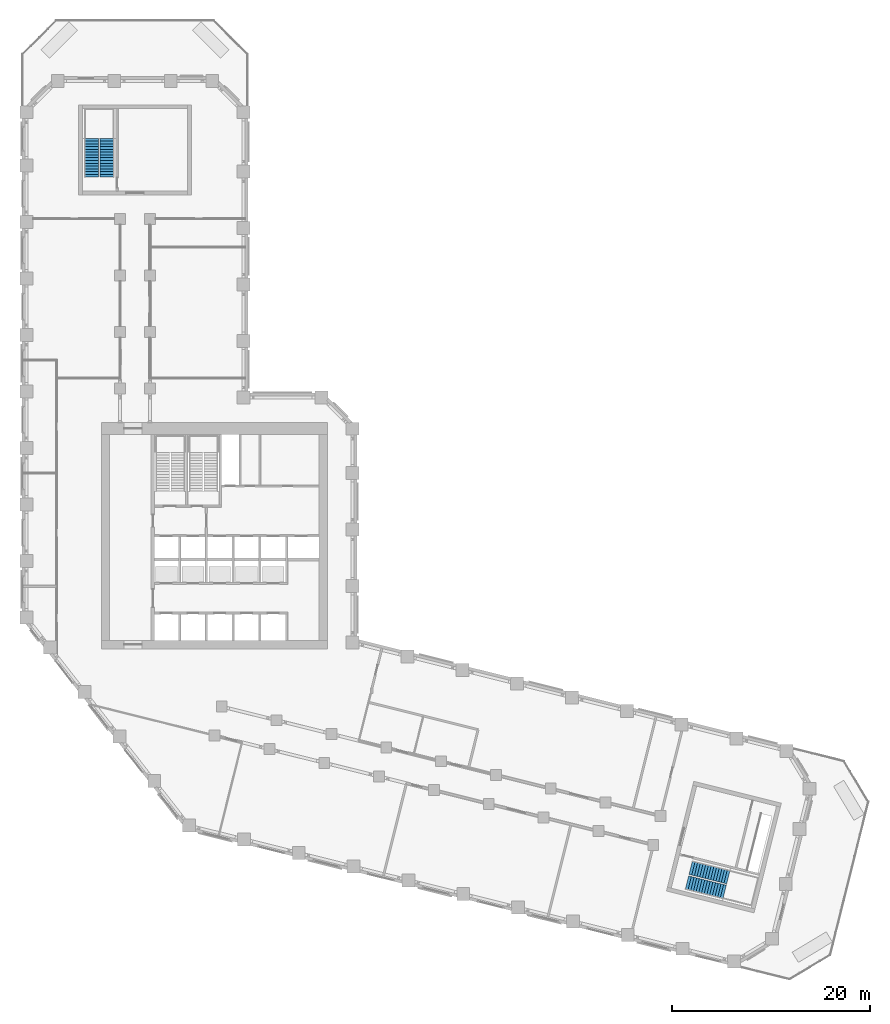
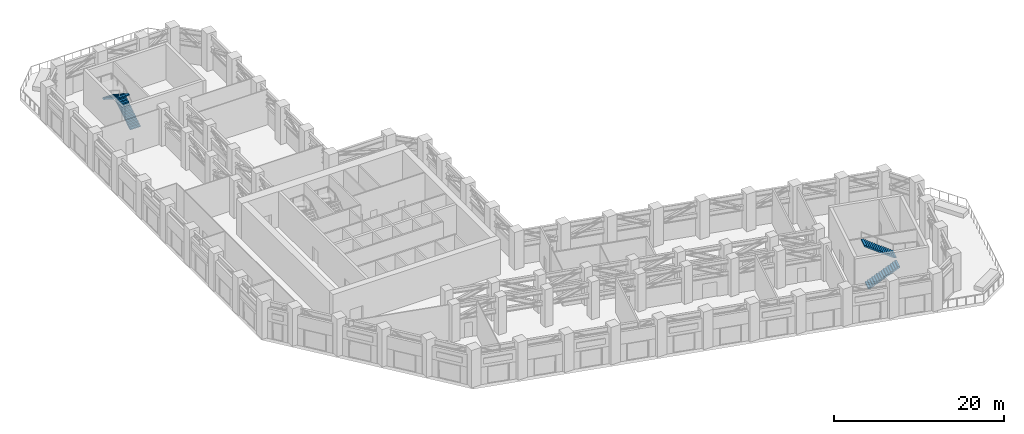
# One storey, part 18 of 21: 4 stair flights, 2 elements without a shape of their own.
"""IFC4 building model written with IfcOpenShell, lengths in metres."""

from ifc_helpers import new_model, si_unit, direction, frame, origin, place, context, subcontext, project, spatial, polyline, outline, extrude, material, type_object, element, aggregate, save


model = new_model("IFC4")

# Units and contexts
model_context = context("Model", 3, precision=1e-05, world=origin(), true_north=direction((0.0, 1.0)))
body_context = subcontext(model_context, "Body", "Model", "MODEL_VIEW")
ifc_project = project(units=[si_unit("LENGTHUNIT", "METRE"), si_unit("AREAUNIT", "SQUARE_METRE"), si_unit("VOLUMEUNIT", "CUBIC_METRE"), si_unit("PLANEANGLEUNIT", "RADIAN"), si_unit("MASSUNIT", "GRAM", prefix="KILO")], contexts=[model_context])

# Site, building, storey
site_placement = place(None, origin())
site = spatial("IfcSite", under=ifc_project, at=site_placement, CompositionType="ELEMENT")
building_placement = place(site_placement, origin())
building = spatial("IfcBuilding", under=site, at=building_placement, Name="Meshkara Civic Tower", CompositionType="ELEMENT")
storey_placement = place(building_placement, frame((0.0, 0.0, 156.0)))
storey = spatial("IfcBuildingStorey", under=building, at=storey_placement, Name="L35", CompositionType="ELEMENT", Elevation=156.0)

# Stair, stair flights
ifc_material_1 = material(Name="Precast concrete C40/50", Category="concrete")
stair_type = type_object("IfcStairType", Name="Exit stair half-turn 30 risers precast", PredefinedType="HALF_TURN_STAIR", material=ifc_material_1)
stair_1_placement = place(storey_placement, origin())
stair_1 = element("IfcStair", 1, at=stair_1_placement, inside=storey, type_object=stair_type, Name="L35 exit stair A from L35", PredefinedType="HALF_TURN_STAIR")
ifc_material_2 = material(Name="Precast concrete C40/50", Category="concrete")
stair_flight_type = type_object("IfcStairFlightType", Name="Exit stair flight 15 risers precast", PredefinedType="STRAIGHT", material=ifc_material_2)
stair_flight_1_placement = place(storey_placement, frame((8.574951171875, 61.669921875, 0.0), z_axis=(0.0, 0.0, 1.0), x_axis=(0.0, 1.0, 0.0)))
stair_flight_1 = element("IfcStairFlight", 2, at=stair_flight_1_placement, type_object=stair_flight_type, Name="ESA3 flight 1", NumberOfRisers=15, NumberOfTreads=14, PredefinedType="STRAIGHT", RiserHeight=0.18, TreadLength=0.28, context=body_context, shape_type="SweptSolid", body=[
    extrude(outline(polyline([(0.0, 0.0), (0.0, 0.179931640625), (0.280029296875, 0.179931640625), (0.280029296875, 0.360107421875), (0.56005859375, 0.360107421875), (0.56005859375, 0.5400390625), (0.840087890625, 0.5400390625), (0.840087890625, 0.719970703125), (1.1201171875, 0.719970703125), (1.1201171875, 0.89990234375), (1.39990234375, 0.89990234375), (1.39990234375, 1.080078125), (1.679931640625, 1.080078125), (1.679931640625, 1.260009765625), (1.9599609375, 1.260009765625), (1.9599609375, 1.43994140625), (2.239990234375, 1.43994140625), (2.239990234375, 1.6201171875), (2.52001953125, 1.6201171875), (2.52001953125, 1.800048828125), (2.800048828125, 1.800048828125), (2.800048828125, 1.97998046875), (3.080078125, 1.97998046875), (3.080078125, 2.159912109375), (3.360107421875, 2.159912109375), (3.360107421875, 2.340087890625), (3.639892578125, 2.340087890625), (3.639892578125, 2.52001953125), (3.919921875, 2.52001953125), (3.919921875, 2.699951171875), (3.919921875, 2.341796875), (0.277099609375, 0.0), (0.0, 0.0)])), frame((0.0, 0.699951171875, 0.0), z_axis=(0.0, -1.0, 0.0), x_axis=(1.0, 0.0, 0.0)), (0.0, 0.0, 1.0), 1.39990234375),
])
stair_flight_2_placement = place(storey_placement, frame((7.02490234375, 65.590087890625, 2.699951171875), z_axis=(0.0, 0.0, 1.0), x_axis=(0.0, -1.0, 0.0)))
stair_flight_2 = element("IfcStairFlight", 3, at=stair_flight_2_placement, type_object=stair_flight_type, Name="ESA3 flight 2", NumberOfRisers=15, NumberOfTreads=14, PredefinedType="STRAIGHT", RiserHeight=0.18, TreadLength=0.28, context=body_context, shape_type="SweptSolid", body=[
    extrude(outline(polyline([(0.0, 0.0), (0.0, 0.179931640625), (0.280029296875, 0.179931640625), (0.280029296875, 0.360107421875), (0.56005859375, 0.360107421875), (0.56005859375, 0.5400390625), (0.840087890625, 0.5400390625), (0.840087890625, 0.719970703125), (1.1201171875, 0.719970703125), (1.1201171875, 0.89990234375), (1.39990234375, 0.89990234375), (1.39990234375, 1.080078125), (1.679931640625, 1.080078125), (1.679931640625, 1.260009765625), (1.9599609375, 1.260009765625), (1.9599609375, 1.43994140625), (2.239990234375, 1.43994140625), (2.239990234375, 1.6201171875), (2.52001953125, 1.6201171875), (2.52001953125, 1.800048828125), (2.800048828125, 1.800048828125), (2.800048828125, 1.97998046875), (3.080078125, 1.97998046875), (3.080078125, 2.159912109375), (3.360107421875, 2.159912109375), (3.360107421875, 2.340087890625), (3.639892578125, 2.340087890625), (3.639892578125, 2.52001953125), (3.919921875, 2.52001953125), (3.919921875, 2.699951171875), (3.919921875, 2.341796875), (0.277099609375, 0.0), (0.0, 0.0)])), frame((0.0, 0.699951171875, 0.0), z_axis=(0.0, -1.0, 0.0), x_axis=(1.0, 0.0, 0.0)), (0.0, 0.0, 1.0), 1.39990234375),
])
aggregate(stair_1, [stair_flight_1, stair_flight_2])

stair_2_placement = place(storey_placement, origin())
stair_2 = element("IfcStair", 4, at=stair_2_placement, inside=storey, type_object=stair_type, Name="L35 exit stair B from L35", PredefinedType="HALF_TURN_STAIR")
stair_flight_3_placement = place(storey_placement, frame((67.068115234375, -9.4814453125, 0.0), z_axis=(0.0, 0.0, 1.0), x_axis=(0.9703185901, -0.241830175344, 0.0)))
stair_flight_3 = element("IfcStairFlight", 5, at=stair_flight_3_placement, type_object=stair_flight_type, Name="ESB3 flight 1", NumberOfRisers=15, NumberOfTreads=14, PredefinedType="STRAIGHT", RiserHeight=0.18, TreadLength=0.28, context=body_context, shape_type="SweptSolid", body=[
    extrude(outline(polyline([(0.0, 0.0), (0.0, 0.179931640625), (0.280029296875, 0.179931640625), (0.280029296875, 0.360107421875), (0.56005859375, 0.360107421875), (0.56005859375, 0.5400390625), (0.840087890625, 0.5400390625), (0.840087890625, 0.719970703125), (1.1201171875, 0.719970703125), (1.1201171875, 0.89990234375), (1.39990234375, 0.89990234375), (1.39990234375, 1.080078125), (1.679931640625, 1.080078125), (1.679931640625, 1.260009765625), (1.9599609375, 1.260009765625), (1.9599609375, 1.43994140625), (2.239990234375, 1.43994140625), (2.239990234375, 1.6201171875), (2.52001953125, 1.6201171875), (2.52001953125, 1.800048828125), (2.800048828125, 1.800048828125), (2.800048828125, 1.97998046875), (3.080078125, 1.97998046875), (3.080078125, 2.159912109375), (3.360107421875, 2.159912109375), (3.360107421875, 2.340087890625), (3.639892578125, 2.340087890625), (3.639892578125, 2.52001953125), (3.919921875, 2.52001953125), (3.919921875, 2.699951171875), (3.919921875, 2.341796875), (0.277099609375, 0.0), (0.0, 0.0)])), frame((0.0, 0.699951171875, 0.0), z_axis=(0.0, -1.0, 0.0), x_axis=(1.0, 0.0, 0.0)), (0.0, 0.0, 1.0), 1.39990234375),
])
stair_flight_4_placement = place(storey_placement, frame((71.24658203125, -8.925537109375, 2.699951171875), z_axis=(0.0, 0.0, 1.0), x_axis=(-0.9703185901, 0.241830175344, 0.0)))
stair_flight_4 = element("IfcStairFlight", 6, at=stair_flight_4_placement, type_object=stair_flight_type, Name="ESB3 flight 2", NumberOfRisers=15, NumberOfTreads=14, PredefinedType="STRAIGHT", RiserHeight=0.18, TreadLength=0.28, context=body_context, shape_type="SweptSolid", body=[
    extrude(outline(polyline([(0.0, 0.0), (0.0, 0.179931640625), (0.280029296875, 0.179931640625), (0.280029296875, 0.360107421875), (0.56005859375, 0.360107421875), (0.56005859375, 0.5400390625), (0.840087890625, 0.5400390625), (0.840087890625, 0.719970703125), (1.1201171875, 0.719970703125), (1.1201171875, 0.89990234375), (1.39990234375, 0.89990234375), (1.39990234375, 1.080078125), (1.679931640625, 1.080078125), (1.679931640625, 1.260009765625), (1.9599609375, 1.260009765625), (1.9599609375, 1.43994140625), (2.239990234375, 1.43994140625), (2.239990234375, 1.6201171875), (2.52001953125, 1.6201171875), (2.52001953125, 1.800048828125), (2.800048828125, 1.800048828125), (2.800048828125, 1.97998046875), (3.080078125, 1.97998046875), (3.080078125, 2.159912109375), (3.360107421875, 2.159912109375), (3.360107421875, 2.340087890625), (3.639892578125, 2.340087890625), (3.639892578125, 2.52001953125), (3.919921875, 2.52001953125), (3.919921875, 2.699951171875), (3.919921875, 2.341796875), (0.277099609375, 0.0), (0.0, 0.0)])), frame((0.0, 0.699951171875, 0.0), z_axis=(0.0, -1.0, 0.0), x_axis=(1.0, 0.0, 0.0)), (0.0, 0.0, 1.0), 1.39990234375),
])
aggregate(stair_2, [stair_flight_3, stair_flight_4])

save(model, "model.ifc")
